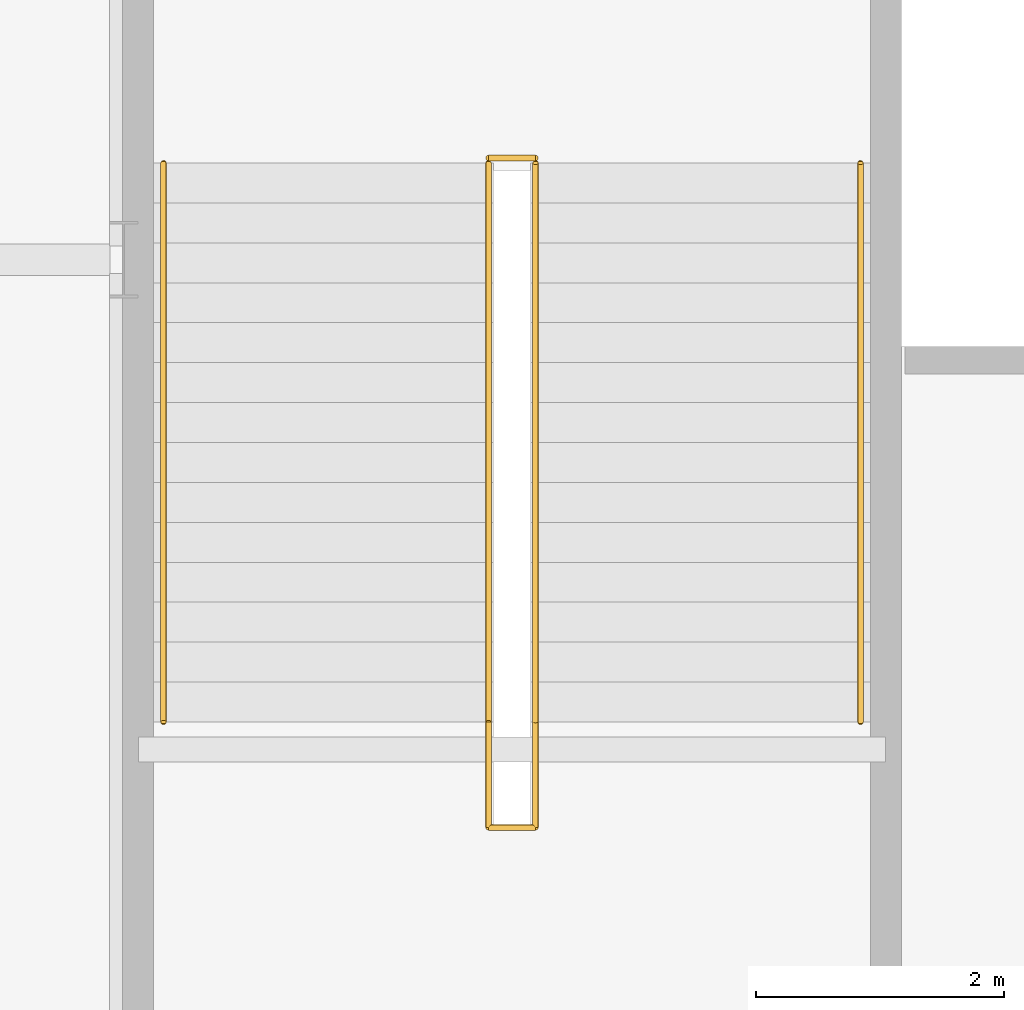
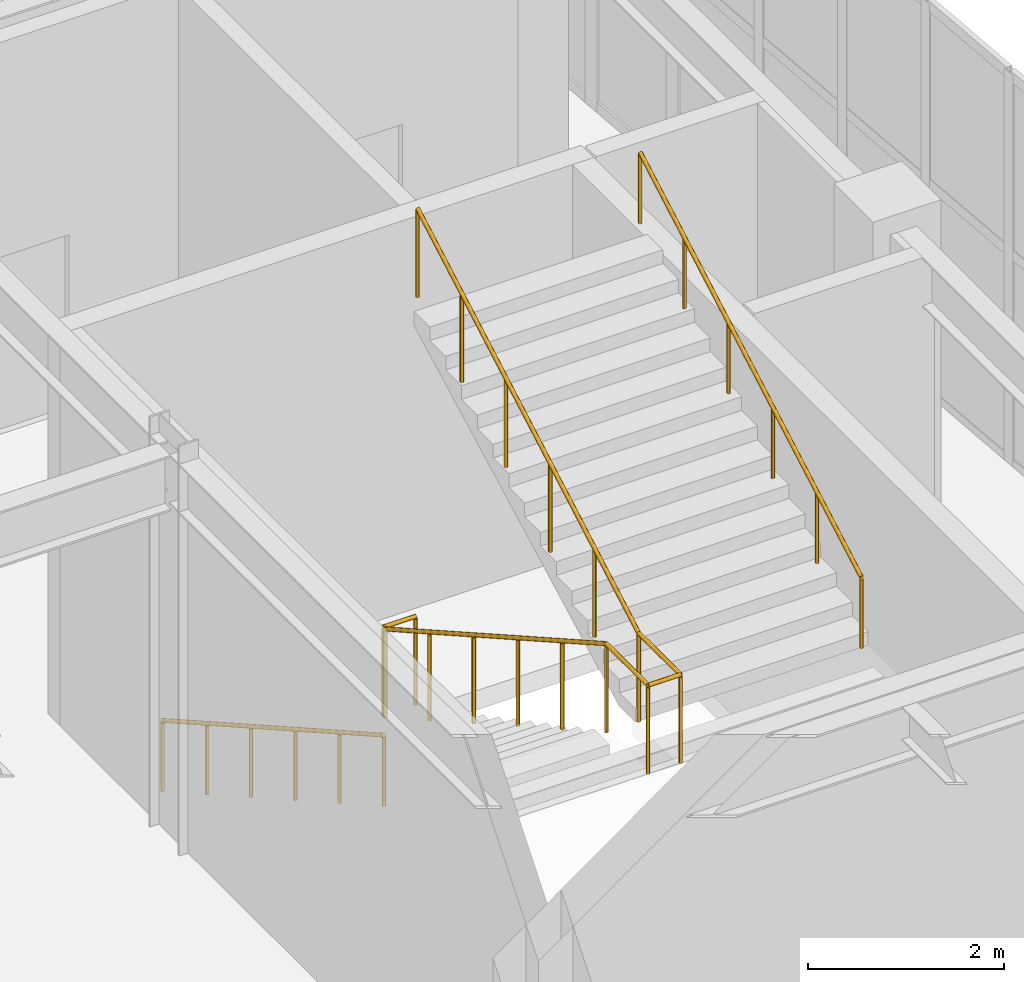
# One storey, part 124 of 128: 4 railings.
"""IFC4 building model written with IfcOpenShell, lengths in metres."""

from ifc_helpers import new_model, si_unit, direction, frame, origin, origin_2d, place, context, subcontext, project, spatial, circle, extrude, material, type_object, element, save


model = new_model("IFC4")

# Units and contexts
model_context = context("Model", 3, precision=1e-05, world=origin(), true_north=direction((0.0, 1.0)))
body_context = subcontext(model_context, "Body", "Model", "MODEL_VIEW")
ifc_project = project(units=[si_unit("LENGTHUNIT", "METRE"), si_unit("AREAUNIT", "SQUARE_METRE"), si_unit("VOLUMEUNIT", "CUBIC_METRE"), si_unit("PLANEANGLEUNIT", "RADIAN"), si_unit("MASSUNIT", "GRAM", prefix="KILO")], contexts=[model_context])

# Site, building, storey
site_placement = place(None, origin())
site = spatial("IfcSite", under=ifc_project, at=site_placement, CompositionType="ELEMENT")
building_placement = place(site_placement, origin())
building = spatial("IfcBuilding", under=site, at=building_placement, Name="Xicomal Pleat Aquarium", CompositionType="ELEMENT")
storey_placement = place(building_placement, frame((0.0, 0.0, 5.39990234375)))
storey = spatial("IfcBuildingStorey", under=building, at=storey_placement, Name="L02", CompositionType="ELEMENT", Elevation=5.39990234375)

# Railings
ifc_material_1 = material(Name="Brushed stainless steel 316L", Category="steel")
railing_type_1 = type_object("IfcRailingType", Name="RAL-HR-900", PredefinedType="HANDRAIL", material=ifc_material_1)
railing_1_placement = place(storey_placement, frame((18.919921875, 53.97998046875, 0.0)))
element("IfcRailing", 1, at=railing_1_placement, inside=storey, type_object=railing_type_1, Name="ST-04-L02 flight 1 handrail", PredefinedType="HANDRAIL", context=body_context, shape_type="SweptSolid", body=[
    extrude(circle(Radius=0.02392578125, at=origin_2d()), frame((0.0, 0.0, 0.8759765625), z_axis=(0.0, -0.870395983686, 0.492352344955), x_axis=(1.0, 0.0, 0.0)), (0.0, 0.0, 1.0), 5.17919921875),
    extrude(circle(Radius=0.02099609375, at=origin_2d()), origin(), (0.0, 0.0, 1.0), 0.851806640625),
    extrude(circle(Radius=0.02099609375, at=origin_2d()), frame((0.0, -0.901611328125, 0.510009765625)), (0.0, 0.0, 1.0), 0.851806640625),
    extrude(circle(Radius=0.02099609375, at=origin_2d()), frame((0.0, -1.80322265625, 1.02001953125)), (0.0, 0.0, 1.0), 0.851806640625),
    extrude(circle(Radius=0.02099609375, at=origin_2d()), frame((0.0, -2.704833984375, 1.530029296875)), (0.0, 0.0, 1.0), 0.851806640625),
    extrude(circle(Radius=0.02099609375, at=origin_2d()), frame((0.0, -3.6064453125, 2.0400390625)), (0.0, 0.0, 1.0), 0.851806640625),
    extrude(circle(Radius=0.02099609375, at=origin_2d()), frame((0.0, -4.508056640625, 2.550048828125)), (0.0, 0.0, 1.0), 0.851806640625),
])
railing_2_placement = place(storey_placement, frame((24.5400390625, 49.471923828125, 2.550048828125)))
element("IfcRailing", 2, at=railing_2_placement, inside=storey, type_object=railing_type_1, Name="ST-04-L02 flight 2 handrail", PredefinedType="HANDRAIL", context=body_context, shape_type="SweptSolid", body=[
    extrude(circle(Radius=0.02392578125, at=origin_2d()), frame((0.0, 0.0, 0.8759765625), z_axis=(0.0, 0.870395983686, 0.492352344955), x_axis=(-1.0, 0.0, 0.0)), (0.0, 0.0, 1.0), 5.17919921875),
    extrude(circle(Radius=0.02099609375, at=origin_2d()), origin(), (0.0, 0.0, 1.0), 0.851806640625),
    extrude(circle(Radius=0.02099609375, at=origin_2d()), frame((0.0, 0.901611328125, 0.510009765625)), (0.0, 0.0, 1.0), 0.851806640625),
    extrude(circle(Radius=0.02099609375, at=origin_2d()), frame((0.0, 1.80322265625, 1.02001953125)), (0.0, 0.0, 1.0), 0.851806640625),
    extrude(circle(Radius=0.02099609375, at=origin_2d()), frame((0.0, 2.704833984375, 1.530029296875)), (0.0, 0.0, 1.0), 0.851806640625),
    extrude(circle(Radius=0.02099609375, at=origin_2d()), frame((0.0, 3.6064453125, 2.0400390625)), (0.0, 0.0, 1.0), 0.851806640625),
    extrude(circle(Radius=0.02099609375, at=origin_2d()), frame((0.0, 4.508056640625, 2.550048828125)), (0.0, 0.0, 1.0), 0.851806640625),
])
ifc_material_2 = material(Name="Brushed stainless steel 316L", Category="steel")
railing_type_2 = type_object("IfcRailingType", Name="RAL-STG-1120", PredefinedType="GUARDRAIL", material=ifc_material_2)
railing_3_placement = place(storey_placement, frame((21.5400390625, 53.97998046875, 0.0)))
element("IfcRailing", 3, at=railing_3_placement, inside=storey, type_object=railing_type_2, Name="ST-04-L02 inner well guard", PredefinedType="GUARDRAIL", context=body_context, shape_type="SweptSolid", body=[
    extrude(circle(Radius=0.02392578125, at=origin_2d()), frame((0.0, 0.0, 1.09619140625), z_axis=(0.0, -0.870395983686, 0.492352344955), x_axis=(1.0, 0.0, 0.0)), (0.0, 0.0, 1.0), 5.17919921875),
    extrude(circle(Radius=0.02392578125, at=origin_2d()), frame((0.0, -4.508056640625, 3.64599609375), z_axis=(0.0, -1.0, 0.0), x_axis=(1.0, 0.0, 0.0)), (0.0, 0.0, 1.0), 0.849853515625),
    extrude(circle(Radius=0.02392578125, at=origin_2d()), frame((0.0, -5.35791015625, 3.64599609375), z_axis=(1.0, 0.0, 0.0), x_axis=(0.0, 1.0, 0.0)), (0.0, 0.0, 1.0), 0.3798828125),
    extrude(circle(Radius=0.02392578125, at=origin_2d()), frame((0.3798828125, -5.35791015625, 3.64599609375), z_axis=(0.0, 1.0, 0.0), x_axis=(-1.0, 0.0, 0.0)), (0.0, 0.0, 1.0), 0.849853515625),
    extrude(circle(Radius=0.02392578125, at=origin_2d()), frame((0.3798828125, -4.508056640625, 3.64599609375), z_axis=(0.0, 0.870395983686, 0.492352344955), x_axis=(-1.0, 0.0, 0.0)), (0.0, 0.0, 1.0), 5.17919921875),
    extrude(circle(Radius=0.02099609375, at=origin_2d()), origin(), (0.0, 0.0, 1.0), 1.072021484375),
    extrude(circle(Radius=0.02099609375, at=origin_2d()), frame((0.0, -0.901611328125, 0.510009765625)), (0.0, 0.0, 1.0), 1.072021484375),
    extrude(circle(Radius=0.02099609375, at=origin_2d()), frame((0.0, -1.80322265625, 1.02001953125)), (0.0, 0.0, 1.0), 1.072021484375),
    extrude(circle(Radius=0.02099609375, at=origin_2d()), frame((0.0, -2.704833984375, 1.530029296875)), (0.0, 0.0, 1.0), 1.072021484375),
    extrude(circle(Radius=0.02099609375, at=origin_2d()), frame((0.0, -3.6064453125, 2.0400390625)), (0.0, 0.0, 1.0), 1.072021484375),
    extrude(circle(Radius=0.02099609375, at=origin_2d()), frame((0.0, -4.508056640625, 2.550048828125)), (0.0, 0.0, 1.0), 1.072021484375),
    extrude(circle(Radius=0.02099609375, at=origin_2d()), frame((0.0, -5.35791015625, 2.550048828125)), (0.0, 0.0, 1.0), 1.072021484375),
    extrude(circle(Radius=0.02099609375, at=origin_2d()), frame((0.3798828125, -5.35791015625, 2.550048828125)), (0.0, 0.0, 1.0), 1.072021484375),
    extrude(circle(Radius=0.02099609375, at=origin_2d()), frame((0.3798828125, -4.508056640625, 2.550048828125)), (0.0, 0.0, 1.0), 1.072021484375),
    extrude(circle(Radius=0.02099609375, at=origin_2d()), frame((0.3798828125, -3.6064453125, 3.06005859375)), (0.0, 0.0, 1.0), 1.072021484375),
    extrude(circle(Radius=0.02099609375, at=origin_2d()), frame((0.3798828125, -2.704833984375, 3.570068359375)), (0.0, 0.0, 1.0), 1.072021484375),
    extrude(circle(Radius=0.02099609375, at=origin_2d()), frame((0.3798828125, -1.80322265625, 4.080078125)), (0.0, 0.0, 1.0), 1.072021484375),
    extrude(circle(Radius=0.02099609375, at=origin_2d()), frame((0.3798828125, -0.901611328125, 4.590087890625)), (0.0, 0.0, 1.0), 1.072021484375),
    extrude(circle(Radius=0.02099609375, at=origin_2d()), frame((0.3798828125, 0.0, 5.10009765625)), (0.0, 0.0, 1.0), 1.072021484375),
])
railing_4_placement = place(storey_placement, frame((21.5400390625, 54.02001953125, 0.0)))
element("IfcRailing", 4, at=railing_4_placement, inside=storey, type_object=railing_type_2, Name="ST-04-L02 floor landing slot guard", PredefinedType="GUARDRAIL", context=body_context, shape_type="SweptSolid", body=[
    extrude(circle(Radius=0.02392578125, at=origin_2d()), frame((0.0, 0.0, 1.09619140625), z_axis=(1.0, 0.0, 0.0), x_axis=(0.0, 1.0, 0.0)), (0.0, 0.0, 1.0), 0.3798828125),
    extrude(circle(Radius=0.02099609375, at=origin_2d()), origin(), (0.0, 0.0, 1.0), 1.072021484375),
    extrude(circle(Radius=0.02099609375, at=origin_2d()), frame((0.3798828125, 0.0, 0.0)), (0.0, 0.0, 1.0), 1.072021484375),
])

save(model, "model.ifc")
